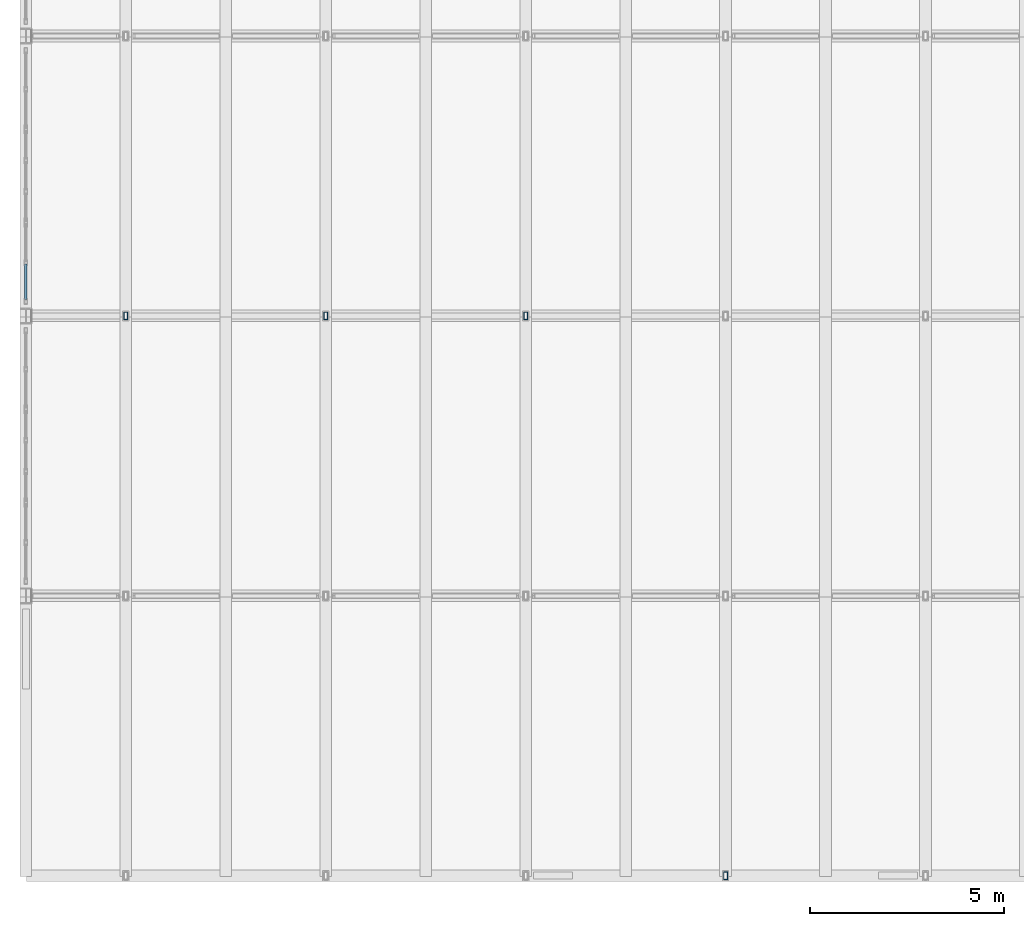
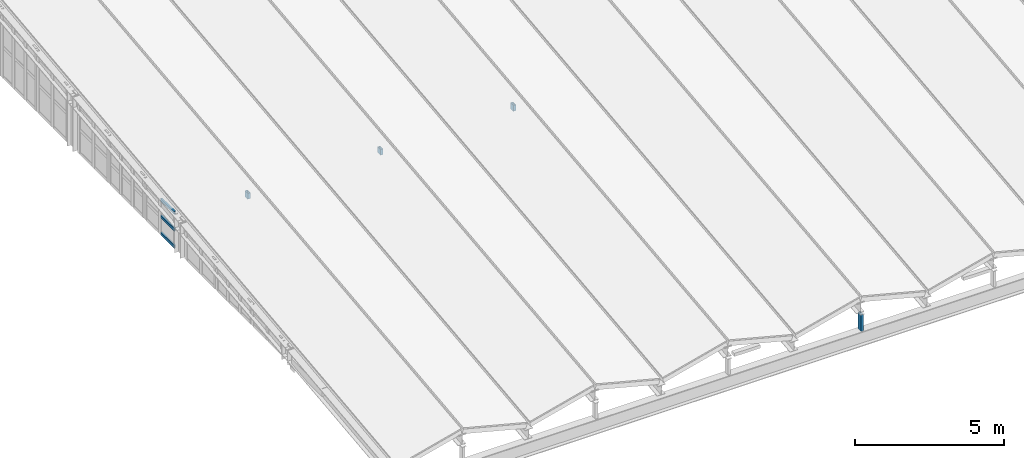
# One storey, part 18 of 39: 7 members, 1 element without a shape of its own.
"""IFC4 building model written with IfcOpenShell, lengths in metres."""

from ifc_helpers import new_model, si_unit, direction, frame, origin, origin_2d, place, context, subcontext, project, spatial, hollow_rectangle, extrude, material, layer, layer_set, material_profile, profile_set, type_object, element, aggregate, save


model = new_model("IFC4")

# Units and contexts
model_context = context("Model", 3, precision=1e-05, world=origin(), true_north=direction((0.0, 1.0)))
body_context = subcontext(model_context, "Body", "Model", "MODEL_VIEW")
ifc_project = project(units=[si_unit("LENGTHUNIT", "METRE"), si_unit("AREAUNIT", "SQUARE_METRE"), si_unit("VOLUMEUNIT", "CUBIC_METRE"), si_unit("PLANEANGLEUNIT", "RADIAN"), si_unit("MASSUNIT", "GRAM", prefix="KILO"), si_unit("THERMODYNAMICTEMPERATUREUNIT", "KELVIN"), si_unit("POWERUNIT", "WATT")], contexts=[model_context])

# Site, building, storey
site_placement = place(None, origin())
site = spatial("IfcSite", under=ifc_project, at=site_placement, CompositionType="ELEMENT")
building_placement = place(site_placement, origin())
building = spatial("IfcBuilding", under=site, at=building_placement, Name="Kaldorven Railside Theatre", CompositionType="ELEMENT")
storey_placement = place(building_placement, frame((0.0, 0.0, 27.300048828125)))
storey = spatial("IfcBuildingStorey", under=building, at=storey_placement, Name="ROOF", CompositionType="ELEMENT", Elevation=27.300048828125)

# Curtain wall, members
ifc_material_1 = material(Name="Low-E laminated solar-control glass", Category="glass")
ifc_layer = layer(ifc_material_1, 0.159912109375, Name="Low-E laminated solar-control glass")
ifc_layer_set = layer_set([ifc_layer], Name="Low-E laminated solar-control glass")
curtain_wall_type = type_object("IfcCurtainWallType", Name="CWT-55", PredefinedType="USERDEFINED", material=ifc_layer_set)
curtain_wall_placement = place(storey_placement, origin())
curtain_wall = element("IfcCurtainWall", 1, at=curtain_wall_placement, inside=storey, type_object=curtain_wall_type, Name="Fly-Tower West Crown Clerestory CWG-095", ObjectType="FLUTED GLAZING", PredefinedType="USERDEFINED")
ifc_material_2 = material(Name="Anodised bronze aluminium", Category="aluminium")
ifc_material_profile_1 = material_profile(ifc_material_2, hollow_rectangle(XDim=0.06005859375, YDim=0.1201171875, WallThickness=0.0048828125, at=origin_2d()), Name="RHS 120x60x5")
ifc_profile_set_1 = profile_set([ifc_material_profile_1], Name="Anodised bronze aluminium")
member_type_1 = type_object("IfcMemberType", Name="CWT-120", PredefinedType="USERDEFINED", material=ifc_profile_set_1)
member_1_placement = place(storey_placement, frame((87.199951171875, 98.820068359375, 0.050048828125), z_axis=(0.0, 1.0, 0.0), x_axis=(-1.0, 0.0, 0.0)))
member_1 = element("IfcMember", 2, at=member_1_placement, type_object=member_type_1, Name="CWG-095 transom 1.1", ObjectType="TRANSOM", PredefinedType="USERDEFINED", context=body_context, shape_type="SweptSolid", body=[
    extrude(hollow_rectangle(XDim=0.06005859375, YDim=0.1201171875, WallThickness=0.0048828125, at=origin_2d()), origin(), (0.0, 0.0, 1.0), 0.909912109375),
])
member_2_placement = place(storey_placement, frame((87.199951171875, 98.820068359375, 0.744873046875), z_axis=(0.0, 1.0, 0.0), x_axis=(-1.0, 0.0, 0.0)))
member_2 = element("IfcMember", 3, at=member_2_placement, type_object=member_type_1, Name="CWG-095 transom 1.2", ObjectType="TRANSOM", PredefinedType="USERDEFINED", context=body_context, shape_type="SweptSolid", body=[
    extrude(hollow_rectangle(XDim=0.06005859375, YDim=0.1201171875, WallThickness=0.0048828125, at=origin_2d()), origin(), (0.0, 0.0, 1.0), 0.909912109375),
])
member_3_placement = place(storey_placement, frame((87.199951171875, 98.820068359375, 1.43994140625), z_axis=(0.0, 1.0, 0.0), x_axis=(-1.0, 0.0, 0.0)))
member_3 = element("IfcMember", 4, at=member_3_placement, type_object=member_type_1, Name="CWG-095 transom 1.3", ObjectType="TRANSOM", PredefinedType="USERDEFINED", context=body_context, shape_type="SweptSolid", body=[
    extrude(hollow_rectangle(XDim=0.06005859375, YDim=0.1201171875, WallThickness=0.0048828125, at=origin_2d()), origin(), (0.0, 0.0, 1.0), 0.909912109375),
])
aggregate(curtain_wall, [member_1, member_2, member_3])

# Members
ifc_material_3 = material(Name="Steel S355", Category="steel")
ifc_material_profile_2 = material_profile(ifc_material_3, hollow_rectangle(XDim=0.10009765625, YDim=0.199951171875, WallThickness=0.008056640625, at=origin_2d()), Name="RHS 200x100x8")
ifc_profile_set_2 = profile_set([ifc_material_profile_2], Name="Steel S355")
member_type_2 = type_object("IfcMemberType", Name="MEM-RHS200", PredefinedType="STRUT", material=ifc_profile_set_2)
member_4_placement = place(storey_placement, frame((105.199951171875, 84.0, -0.66552734375), z_axis=(0.0, 0.0, 1.0), x_axis=(1.0, 0.0, 0.0)))
element("IfcMember", 5, at=member_4_placement, inside=storey, type_object=member_type_2, Name="V2 S Gable Bearing Post", PredefinedType="STRUT", context=body_context, shape_type="SweptSolid", body=[
    extrude(hollow_rectangle(XDim=0.10009765625, YDim=0.199951171875, WallThickness=0.008056640625, at=origin_2d()), origin(), (0.0, 0.0, 1.0), 0.6875),
])
for number, where, z_axis, x_axis, name in (
    (6, (89.771484375, 98.39990234375, 1.424560546875), (0.0, 0.0, 1.0), (1.0, 0.0, 0.0), "V2 Folded-Roof King-Post Strut STR-045"),
    (7, (94.914306640625, 98.39990234375, 1.424560546875), (0.0, 0.0, 1.0), (1.0, 0.0, 0.0), "V2 Folded-Roof King-Post Strut STR-048"),
    (8, (100.05712890625, 98.39990234375, 1.424560546875), (0.0, 0.0, 1.0), (1.0, 0.0, 0.0), "V2 Folded-Roof King-Post Strut STR-051"),
):
    element("IfcMember", number, at=place(storey_placement, frame(where, z_axis=z_axis, x_axis=x_axis)), inside=storey, type_object=member_type_2, Name=name, PredefinedType="STRUT", context=body_context, shape_type="SweptSolid", body=[
        extrude(hollow_rectangle(XDim=0.10009765625, YDim=0.199951171875, WallThickness=0.008056640625, at=origin_2d()), origin(), (0.0, 0.0, 1.0), 0.235595703125),
    ])

save(model, "model.ifc")
